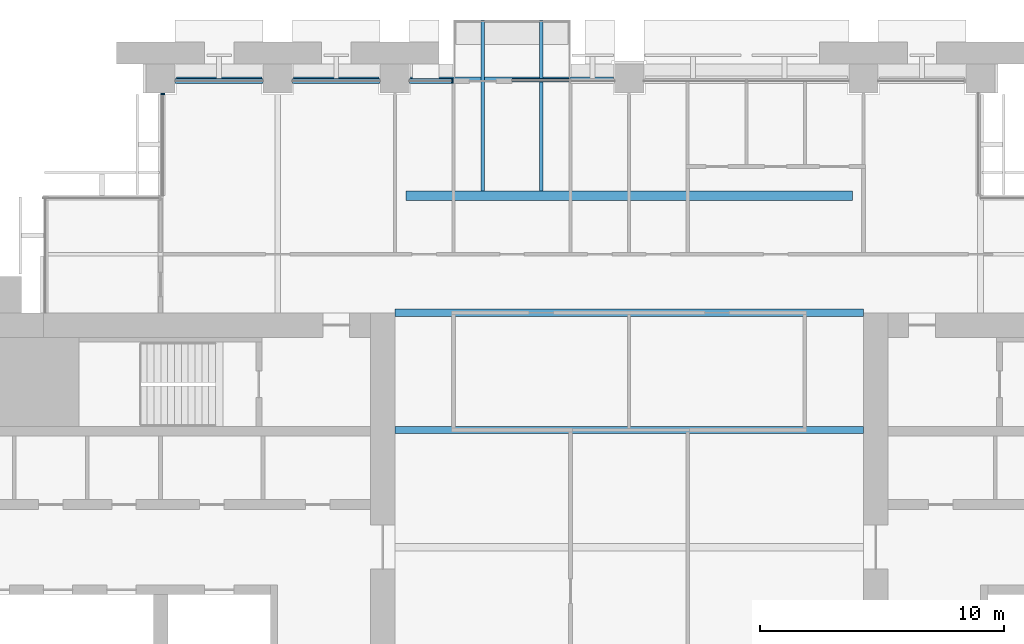
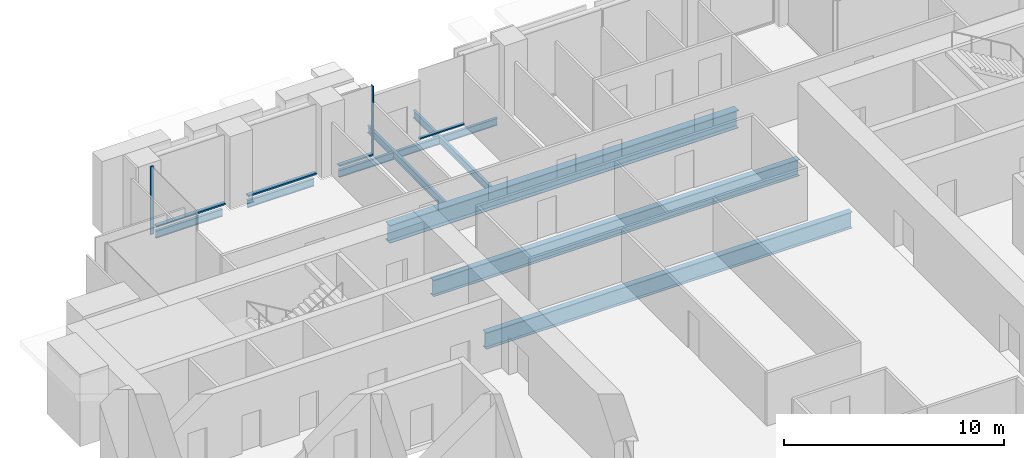
# One storey, part 6 of 15: 10 beams, 6 members, 3 elements without a shape of their own.
"""IFC4 building model written with IfcOpenShell, lengths in metres."""

from ifc_helpers import new_model, si_unit, direction, frame, origin, origin_2d, place, context, subcontext, project, spatial, rectangle, i_section, extrude, material, material_profile, profile_set, type_object, element, aggregate, save


model = new_model("IFC4")

# Units and contexts
model_context = context("Model", 3, precision=1e-05, world=origin(), true_north=direction((0.0, 1.0)))
body_context = subcontext(model_context, "Body", "Model", "MODEL_VIEW")
ifc_project = project(units=[si_unit("LENGTHUNIT", "METRE"), si_unit("AREAUNIT", "SQUARE_METRE"), si_unit("VOLUMEUNIT", "CUBIC_METRE"), si_unit("PLANEANGLEUNIT", "RADIAN"), si_unit("MASSUNIT", "GRAM", prefix="KILO")], contexts=[model_context])

# Site, building, storey
site_placement = place(None, origin())
site = spatial("IfcSite", under=ifc_project, at=site_placement, CompositionType="ELEMENT")
building_placement = place(site_placement, origin())
building = spatial("IfcBuilding", under=site, at=building_placement, Name="Baori Bourse Tower", CompositionType="ELEMENT")
storey_placement = place(building_placement, frame((0.0, 0.0, 104.10009765625)))
storey = spatial("IfcBuildingStorey", under=building, at=storey_placement, Name="L21", CompositionType="ELEMENT", Elevation=104.10009765625)

# Beams
ifc_material_1 = material(Name="Steel A992 Gr 50", Category="steel")
ifc_material_profile_1 = material_profile(ifc_material_1, i_section(OverallWidth=0.140380859375, OverallDepth=0.40380859375, WebThickness=0.007080078125, FlangeThickness=0.01123046875, at=origin_2d()), Name="W16x31")
ifc_profile_set_1 = profile_set([ifc_material_profile_1], Name="Steel A992 Gr 50")
beam_type_1 = type_object("IfcBeamType", Name="Balcony beam W16x31", PredefinedType="BEAM", material=ifc_profile_set_1)
for number, where, z_axis, x_axis, name in (
    (1, (22.800048828125, 50.39990234375, -0.501953125), (0.0, -1.0, 0.0), (1.0, 0.0, 0.0), "Balcony beam L21"),
    (2, (25.199951171875, 50.39990234375, -0.501953125), (0.0, -1.0, 0.0), (1.0, 0.0, 0.0), "Balcony beam L21"),
):
    element("IfcBeam", number, at=place(storey_placement, frame(where, z_axis=z_axis, x_axis=x_axis)), inside=storey, type_object=beam_type_1, Name=name, PredefinedType="BEAM", context=body_context, shape_type="SweptSolid", body=[
        extrude(i_section(OverallWidth=0.140380859375, OverallDepth=0.40380859375, WebThickness=0.007080078125, FlangeThickness=0.01123046875, at=origin_2d()), origin(), (0.0, 0.0, 1.0), 6.999267578125),
    ])

# Curtain wall, members
ifc_material_2 = material(Name="Pale anodised aluminium", Category="aluminium")
curtain_wall_type_1 = type_object("IfcCurtainWallType", Name="CW1 Curtain wall", PredefinedType="NOTDEFINED", material=ifc_material_2)
curtain_wall_1_placement = place(storey_placement, origin())
curtain_wall_1 = element("IfcCurtainWall", 3, at=curtain_wall_1_placement, inside=storey, type_object=curtain_wall_type_1, Name="Curtain wall CW1 L21 6", PredefinedType="NOTDEFINED")
ifc_material_3 = material(Name="Pale anodised aluminium", Category="aluminium")
ifc_material_profile_2 = material_profile(ifc_material_3, rectangle(XDim=0.199951171875, YDim=0.06005859375, at=origin_2d()), Name="Mullion 60x200")
ifc_profile_set_2 = profile_set([ifc_material_profile_2], Name="Pale anodised aluminium")
member_type_1 = type_object("IfcMemberType", Name="CW1 Curtain wall mullion", PredefinedType="MULLION", material=ifc_profile_set_2)
member_1_placement = place(storey_placement, frame((21.570068359375, 47.89990234375, 0.079833984375), z_axis=(0.0, 0.0, 1.0), x_axis=(0.0, -1.0, 0.0)))
member_1 = element("IfcMember", 4, at=member_1_placement, type_object=member_type_1, Name="Curtain wall CW1 mullion", PredefinedType="MULLION", context=body_context, shape_type="SweptSolid", body=[
    extrude(rectangle(XDim=0.199951171875, YDim=0.06005859375, at=origin_2d()), origin(), (0.0, 0.0, 1.0), 3.760009765625),
])
ifc_material_4 = material(Name="Pale anodised aluminium", Category="aluminium")
ifc_material_profile_3 = material_profile(ifc_material_4, rectangle(XDim=0.199951171875, YDim=0.080078125, at=origin_2d()), Name="Transom 80x200")
ifc_profile_set_3 = profile_set([ifc_material_profile_3], Name="Pale anodised aluminium")
member_type_2 = type_object("IfcMemberType", Name="CW1 Curtain wall transom", PredefinedType="USERDEFINED", material=ifc_profile_set_3)
member_2_placement = place(storey_placement, frame((21.60009765625, 47.89990234375, 0.039794921875), z_axis=(-1.0, 0.0, 0.0), x_axis=(0.0, -1.0, 0.0)))
member_2 = element("IfcMember", 5, at=member_2_placement, type_object=member_type_2, Name="Curtain wall CW1 sill rail", ObjectType="TRANSOM", PredefinedType="USERDEFINED", context=body_context, shape_type="SweptSolid", body=[
    extrude(rectangle(XDim=0.199951171875, YDim=0.080078125, at=origin_2d()), origin(), (0.0, 0.0, 1.0), 1.800048828125),
])
member_3_placement = place(storey_placement, frame((18.60009765625, 47.89990234375, 0.039794921875), z_axis=(-1.0, 0.0, 0.0), x_axis=(0.0, -1.0, 0.0)))
member_3 = element("IfcMember", 6, at=member_3_placement, type_object=member_type_2, Name="Curtain wall CW1 sill rail", ObjectType="TRANSOM", PredefinedType="USERDEFINED", context=body_context, shape_type="SweptSolid", body=[
    extrude(rectangle(XDim=0.199951171875, YDim=0.080078125, at=origin_2d()), origin(), (0.0, 0.0, 1.0), 3.60009765625),
])
member_4_placement = place(storey_placement, frame((13.800048828125, 47.89990234375, 0.039794921875), z_axis=(-1.0, 0.0, 0.0), x_axis=(0.0, -1.0, 0.0)))
member_4 = element("IfcMember", 7, at=member_4_placement, type_object=member_type_2, Name="Curtain wall CW1 sill rail", ObjectType="TRANSOM", PredefinedType="USERDEFINED", context=body_context, shape_type="SweptSolid", body=[
    extrude(rectangle(XDim=0.199951171875, YDim=0.080078125, at=origin_2d()), origin(), (0.0, 0.0, 1.0), 3.60009765625),
])
aggregate(curtain_wall_1, [member_2, member_1, member_3, member_4])

# Curtain wall, member
ifc_material_5 = material(Name="Pale anodised aluminium", Category="aluminium")
curtain_wall_type_2 = type_object("IfcCurtainWallType", Name="CW2 Curtain wall", PredefinedType="NOTDEFINED", material=ifc_material_5)
curtain_wall_2_placement = place(storey_placement, origin())
curtain_wall_2 = element("IfcCurtainWall", 8, at=curtain_wall_2_placement, inside=storey, type_object=curtain_wall_type_2, Name="Curtain wall CW2 L21 7", PredefinedType="NOTDEFINED")
ifc_material_6 = material(Name="Pale anodised aluminium", Category="aluminium")
ifc_material_profile_4 = material_profile(ifc_material_6, rectangle(XDim=0.179931640625, YDim=0.054931640625, at=origin_2d()), Name="Mullion 55x180")
ifc_profile_set_4 = profile_set([ifc_material_profile_4], Name="Pale anodised aluminium")
member_type_3 = type_object("IfcMemberType", Name="CW2 Curtain wall mullion", PredefinedType="MULLION", material=ifc_profile_set_4)
member_5_placement = place(storey_placement, frame((9.68994140625, 47.37255859375, 0.06982421875), z_axis=(0.0, 0.0, 1.0), x_axis=(1.0, 0.0, 0.0)))
member_5 = element("IfcMember", 9, at=member_5_placement, type_object=member_type_3, Name="Curtain wall CW2 mullion", PredefinedType="MULLION", context=body_context, shape_type="SweptSolid", body=[
    extrude(rectangle(XDim=0.179931640625, YDim=0.054931640625, at=origin_2d()), origin(), (0.0, 0.0, 1.0), 3.77001953125),
])
aggregate(curtain_wall_2, [member_5])

ifc_material_7 = material(Name="Pale anodised aluminium", Category="aluminium")
curtain_wall_type_3 = type_object("IfcCurtainWallType", Name="CW6 Curtain wall", PredefinedType="NOTDEFINED", material=ifc_material_7)
curtain_wall_3_placement = place(storey_placement, origin())
curtain_wall_3 = element("IfcCurtainWall", 10, at=curtain_wall_3_placement, inside=storey, type_object=curtain_wall_type_3, Name="Curtain wall CW6 L21 5", PredefinedType="NOTDEFINED")
ifc_material_8 = material(Name="Pale anodised aluminium", Category="aluminium")
ifc_material_profile_5 = material_profile(ifc_material_8, rectangle(XDim=0.14990234375, YDim=0.06494140625, at=origin_2d()), Name="Transom 65x150")
ifc_profile_set_5 = profile_set([ifc_material_profile_5], Name="Pale anodised aluminium")
member_type_4 = type_object("IfcMemberType", Name="CW6 Curtain wall transom", PredefinedType="USERDEFINED", material=ifc_profile_set_5)
member_6_placement = place(storey_placement, frame((26.39990234375, 47.925048828125, 0.032470703125), z_axis=(-1.0, 0.0, 0.0), x_axis=(0.0, -1.0, 0.0)))
member_6 = element("IfcMember", 11, at=member_6_placement, type_object=member_type_4, Name="Curtain wall CW6 sill rail", ObjectType="TRANSOM", PredefinedType="USERDEFINED", context=body_context, shape_type="SweptSolid", body=[
    extrude(rectangle(XDim=0.14990234375, YDim=0.06494140625, at=origin_2d()), origin(), (0.0, 0.0, 1.0), 2.39990234375),
])
aggregate(curtain_wall_3, [member_6])

# Beams
ifc_material_9 = material(Name="Steel A992 Gr 50", Category="steel")
ifc_material_profile_6 = material_profile(ifc_material_9, i_section(OverallWidth=0.140380859375, OverallDepth=0.40380859375, WebThickness=0.007080078125, FlangeThickness=0.01123046875, at=origin_2d()), Name="W16x31")
ifc_profile_set_6 = profile_set([ifc_material_profile_6], Name="Steel A992 Gr 50")
beam_type_2 = type_object("IfcBeamType", Name="Edge beam W16x31", PredefinedType="BEAM", material=ifc_profile_set_6)
for number, where, z_axis, x_axis, name in (
    (12, (10.25, 48.0, -0.501953125), (1.0, 0.0, 0.0), (0.0, 1.0, 0.0), "Edge beam L21"),
    (13, (15.050048828125, 48.0, -0.501953125), (1.0, 0.0, 0.0), (0.0, 1.0, 0.0), "Edge beam L21"),
):
    element("IfcBeam", number, at=place(storey_placement, frame(where, z_axis=z_axis, x_axis=x_axis)), inside=storey, type_object=beam_type_2, Name=name, PredefinedType="BEAM", context=body_context, shape_type="SweptSolid", body=[
        extrude(i_section(OverallWidth=0.140380859375, OverallDepth=0.40380859375, WebThickness=0.007080078125, FlangeThickness=0.01123046875, at=origin_2d()), origin(), (0.0, 0.0, 1.0), 3.5),
    ])
beam_1_placement = place(storey_placement, frame((19.85009765625, 48.0, -0.501953125), z_axis=(1.0, 0.0, 0.0), x_axis=(0.0, 1.0, 0.0)))
element("IfcBeam", 14, at=beam_1_placement, inside=storey, type_object=beam_type_2, Name="Edge beam L21", PredefinedType="BEAM", context=body_context, shape_type="SweptSolid", body=[
    extrude(i_section(OverallWidth=0.140380859375, OverallDepth=0.40380859375, WebThickness=0.007080078125, FlangeThickness=0.01123046875, at=origin_2d()), origin(), (0.0, 0.0, 1.0), 2.879638671875),
])
beam_2_placement = place(storey_placement, frame((22.8701171875, 48.0, -0.501953125), z_axis=(1.0, 0.0, 0.0), x_axis=(0.0, 1.0, 0.0)))
element("IfcBeam", 15, at=beam_2_placement, inside=storey, type_object=beam_type_2, Name="Edge beam L21", PredefinedType="BEAM", context=body_context, shape_type="SweptSolid", body=[
    extrude(i_section(OverallWidth=0.140380859375, OverallDepth=0.40380859375, WebThickness=0.007080078125, FlangeThickness=0.01123046875, at=origin_2d()), origin(), (0.0, 0.0, 1.0), 2.259765625),
])
beam_3_placement = place(storey_placement, frame((25.270263671875, 48.0, -0.501953125), z_axis=(1.0, 0.0, 0.0), x_axis=(0.0, 1.0, 0.0)))
element("IfcBeam", 16, at=beam_3_placement, inside=storey, type_object=beam_type_2, Name="Edge beam L21", PredefinedType="BEAM", context=body_context, shape_type="SweptSolid", body=[
    extrude(i_section(OverallWidth=0.140380859375, OverallDepth=0.40380859375, WebThickness=0.007080078125, FlangeThickness=0.01123046875, at=origin_2d()), origin(), (0.0, 0.0, 1.0), 2.879638671875),
])
ifc_material_10 = material(Name="Steel A992 Gr 50", Category="steel")
ifc_material_profile_7 = material_profile(ifc_material_10, i_section(OverallWidth=0.3046875, OverallDepth=0.914306640625, WebThickness=0.0166015625, FlangeThickness=0.02587890625, at=origin_2d()), Name="W36x160")
ifc_profile_set_7 = profile_set([ifc_material_profile_7], Name="Steel A992 Gr 50")
beam_type_3 = type_object("IfcBeamType", Name="Floor beam W36x160", PredefinedType="BEAM", material=ifc_profile_set_7)
for number, where, z_axis, x_axis, name in (
    (17, (19.199951171875, 33.60009765625, -0.75732421875), (1.0, 0.0, 0.0), (0.0, 1.0, 0.0), "Floor beam L21"),
    (18, (19.199951171875, 38.39990234375, -0.75732421875), (1.0, 0.0, 0.0), (0.0, 1.0, 0.0), "Floor beam L21"),
):
    element("IfcBeam", number, at=place(storey_placement, frame(where, z_axis=z_axis, x_axis=x_axis)), inside=storey, type_object=beam_type_3, Name=name, PredefinedType="BEAM", context=body_context, shape_type="SweptSolid", body=[
        extrude(i_section(OverallWidth=0.3046875, OverallDepth=0.914306640625, WebThickness=0.0166015625, FlangeThickness=0.02587890625, at=origin_2d()), origin(), (0.0, 0.0, 1.0), 19.199951171875),
    ])
ifc_material_11 = material(Name="Steel A992 Gr 50", Category="steel")
ifc_material_profile_8 = material_profile(ifc_material_11, i_section(OverallWidth=0.4013671875, OverallDepth=0.990478515625, WebThickness=0.0166015625, FlangeThickness=0.031005859375, at=origin_2d()), Name="W40x215")
ifc_profile_set_8 = profile_set([ifc_material_profile_8], Name="Steel A992 Gr 50")
beam_type_4 = type_object("IfcBeamType", Name="Floor beam W40x215", PredefinedType="BEAM", material=ifc_profile_set_8)
beam_4_placement = place(storey_placement, frame((19.64990234375, 43.199951171875, -0.79541015625), z_axis=(1.0, 0.0, 0.0), x_axis=(0.0, 1.0, 0.0)))
element("IfcBeam", 19, at=beam_4_placement, inside=storey, type_object=beam_type_4, Name="Floor beam L21", PredefinedType="BEAM", context=body_context, shape_type="SweptSolid", body=[
    extrude(i_section(OverallWidth=0.4013671875, OverallDepth=0.990478515625, WebThickness=0.0166015625, FlangeThickness=0.031005859375, at=origin_2d()), origin(), (0.0, 0.0, 1.0), 18.300048828125),
])

save(model, "model.ifc")
